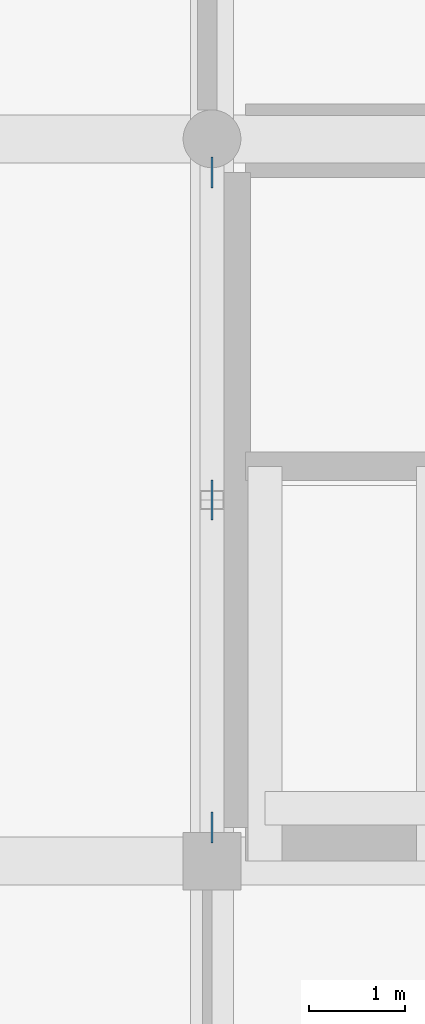
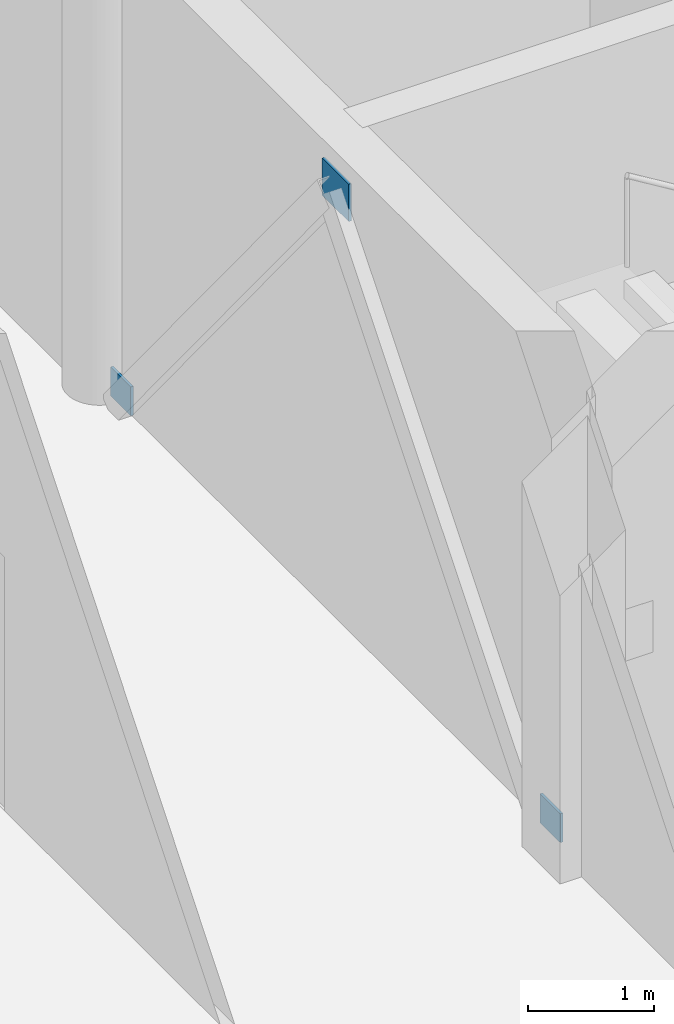
# One storey, part 89 of 125: 3 plates.
"""IFC4 building model written with IfcOpenShell, lengths in metres."""

from ifc_helpers import new_model, si_unit, direction, frame, origin, origin_2d, place, context, subcontext, project, spatial, rectangle, extrude, material, layer, layer_set, type_object, element, save


model = new_model("IFC4")

# Units and contexts
model_context = context("Model", 3, precision=1e-05, world=origin(), true_north=direction((0.0, 1.0)))
body_context = subcontext(model_context, "Body", "Model", "MODEL_VIEW")
ifc_project = project(units=[si_unit("LENGTHUNIT", "METRE"), si_unit("AREAUNIT", "SQUARE_METRE"), si_unit("VOLUMEUNIT", "CUBIC_METRE"), si_unit("PLANEANGLEUNIT", "RADIAN"), si_unit("MASSUNIT", "GRAM", prefix="KILO")], contexts=[model_context])

# Site, building, storey
site_placement = place(None, origin())
site = spatial("IfcSite", under=ifc_project, at=site_placement, CompositionType="ELEMENT")
building_placement = place(site_placement, origin())
building = spatial("IfcBuilding", under=site, at=building_placement, Name="Dalvernix Boulevard General Hospital", CompositionType="ELEMENT")
storey_placement = place(building_placement, origin())
storey = spatial("IfcBuildingStorey", under=building, at=storey_placement, Name="L00", CompositionType="ELEMENT", Elevation=0.0)

# Plates
ifc_material = material(Name="Steel S355", Category="steel")
ifc_layer = layer(ifc_material, 0.031982421875)
ifc_layer_set = layer_set([ifc_layer], Name="Steel S355 (PLT-NP-04)")
plate_type = type_object("IfcPlateType", Name="PLT-NP-04", PredefinedType="SHEET", material=ifc_layer_set)
plate_placement = place(storey_placement, frame((157.5, 42.75, 3.9697265625), z_axis=(0.0, 0.0, 1.0), x_axis=(0.0, 1.0, 0.0)))
element("IfcPlate", 1, at=plate_placement, inside=storey, type_object=plate_type, Name="L00 brace apex gusset plate 3", PredefinedType="SHEET", context=body_context, shape_type="SweptSolid", body=[
    extrude(rectangle(XDim=0.419921875, YDim=0.02392578125, at=origin_2d()), origin(), (0.0, 0.0, 1.0), 0.360107421875),
])
for number, where, z_axis, x_axis, name in (
    (2, (157.5, 39.35009765625, 0.0), (0.0, 0.0, 1.0), (0.0, 1.0, 0.0), "L00 brace base gusset plate 3S"),
    (3, (157.5, 46.14990234375, 0.0), (0.0, 0.0, 1.0), (0.0, 1.0, 0.0), "L00 brace base gusset plate 3N"),
):
    element("IfcPlate", number, at=place(storey_placement, frame(where, z_axis=z_axis, x_axis=x_axis)), inside=storey, type_object=plate_type, Name=name, PredefinedType="SHEET", context=body_context, shape_type="SweptSolid", body=[
        extrude(rectangle(XDim=0.320068359375, YDim=0.02392578125, at=origin_2d()), origin(), (0.0, 0.0, 1.0), 0.280029296875),
    ])

save(model, "model.ifc")
